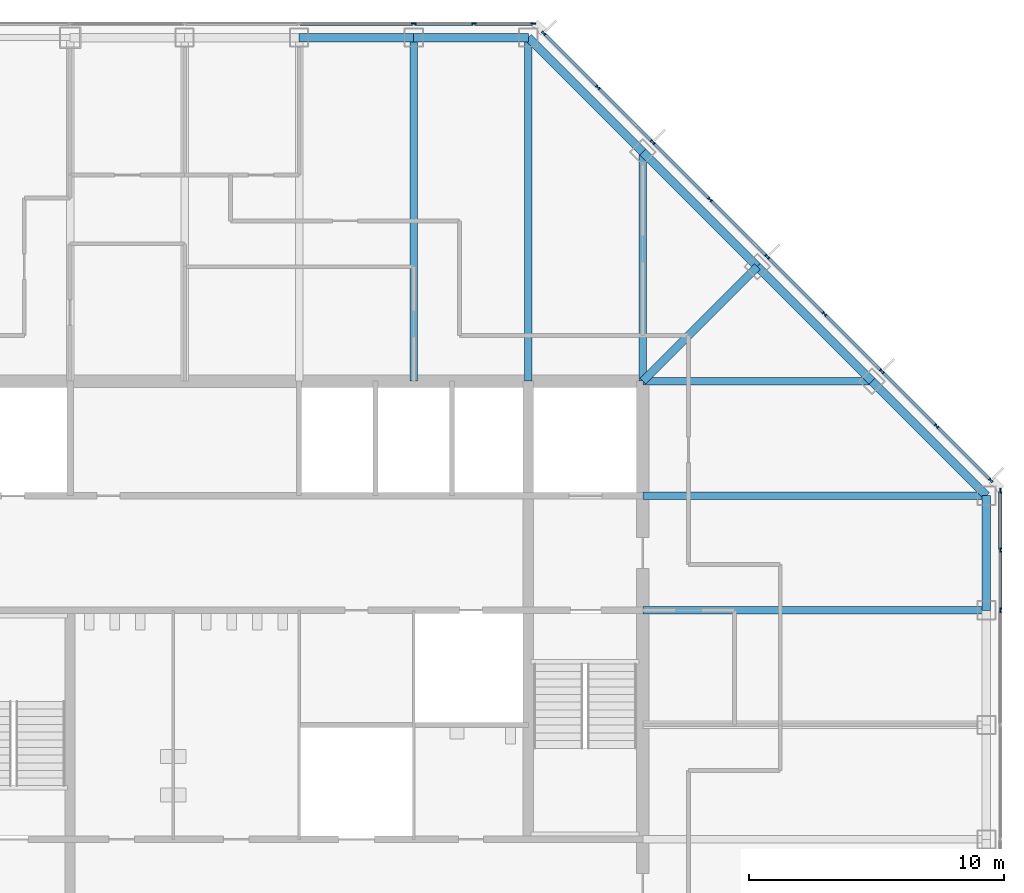
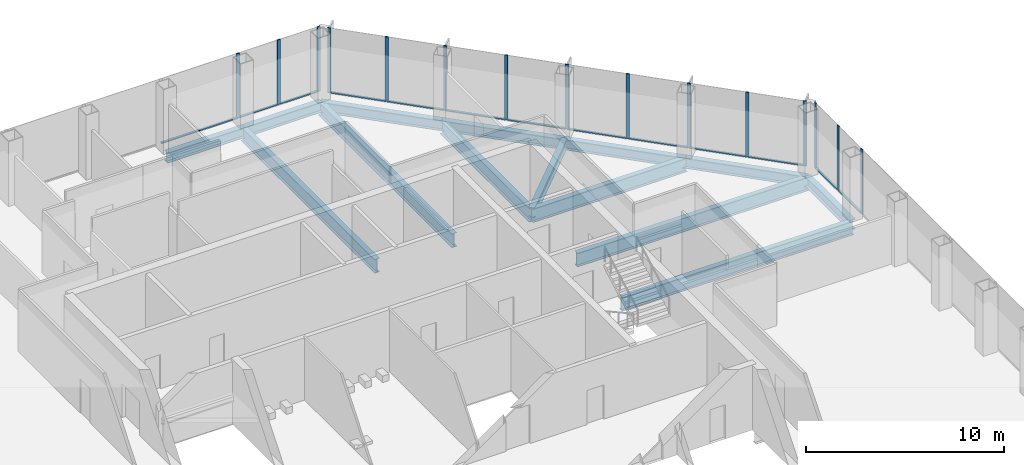
# One storey, part 6 of 13: 28 members, 14 beams, 3 elements without a shape of their own.
"""IFC4 building model written with IfcOpenShell, lengths in metres."""

from ifc_helpers import new_model, si_unit, direction, frame, origin, origin_2d, place, context, subcontext, project, spatial, rectangle, i_section, extrude, material, material_profile, profile_set, type_object, element, aggregate, save


model = new_model("IFC4")

# Units and contexts
model_context = context("Model", 3, precision=1e-05, world=origin(), true_north=direction((0.0, 1.0)))
body_context = subcontext(model_context, "Body", "Model", "MODEL_VIEW")
ifc_project = project(units=[si_unit("LENGTHUNIT", "METRE"), si_unit("AREAUNIT", "SQUARE_METRE"), si_unit("VOLUMEUNIT", "CUBIC_METRE"), si_unit("PLANEANGLEUNIT", "RADIAN"), si_unit("MASSUNIT", "GRAM", prefix="KILO")], contexts=[model_context])

# Site, building, storey
site_placement = place(None, origin())
site = spatial("IfcSite", under=ifc_project, at=site_placement, CompositionType="ELEMENT")
building_placement = place(site_placement, origin())
building = spatial("IfcBuilding", under=site, at=building_placement, Name="Corais Broadcast Tower", CompositionType="ELEMENT")
storey_placement = place(building_placement, frame((0.0, 0.0, 123.60009765625)))
storey = spatial("IfcBuildingStorey", under=building, at=storey_placement, Name="L27", CompositionType="ELEMENT", Elevation=123.60009765625)

# Beams
ifc_material_1 = material(Name="Steel ASTM A572 Grade 50", Category="steel")
ifc_material_profile_1 = material_profile(ifc_material_1, i_section(OverallWidth=0.323974609375, OverallDepth=0.611083984375, WebThickness=0.0126953125, FlangeThickness=0.01904296875, at=origin_2d()), Name="W610x155")
ifc_profile_set_1 = profile_set([ifc_material_profile_1], Name="Steel ASTM A572 Grade 50")
beam_type_1 = type_object("IfcBeamType", Name="Corner diagonal W610x155", PredefinedType="BEAM", material=ifc_profile_set_1)
beam_1_placement = place(storey_placement, frame((45.0, 45.0, -0.465576171875), z_axis=(-0.707106781187, -0.707106781187, 0.0), x_axis=(0.707106781187, -0.707106781187, 0.0)))
element("IfcBeam", 1, at=beam_1_placement, inside=storey, type_object=beam_type_1, Name="B6 L/13 to K/12", PredefinedType="BEAM", context=body_context, shape_type="SweptSolid", body=[
    extrude(i_section(OverallWidth=0.323974609375, OverallDepth=0.611083984375, WebThickness=0.0126953125, FlangeThickness=0.01904296875, at=origin_2d()), origin(), (0.0, 0.0, 1.0), 6.364013671875),
])
ifc_material_2 = material(Name="Steel ASTM A572 Grade 50", Category="steel")
ifc_material_profile_2 = material_profile(ifc_material_2, i_section(OverallWidth=0.2939453125, OverallDepth=0.85107421875, WebThickness=0.01611328125, FlangeThickness=0.02685546875, at=origin_2d()), Name="W840x226")
ifc_profile_set_2 = profile_set([ifc_material_profile_2], Name="Steel ASTM A572 Grade 50")
beam_type_2 = type_object("IfcBeamType", Name="Floor beam W840x226", PredefinedType="BEAM", material=ifc_profile_set_2)
for number, where, z_axis, x_axis, name in (
    (2, (31.5, 54.0, -0.585693359375), (0.0, -1.0, 0.0), (1.0, 0.0, 0.0), "B1 N/10 to K/10"),
    (3, (36.0, 54.0, -0.585693359375), (0.0, -1.0, 0.0), (1.0, 0.0, 0.0), "B1 N/11 to K/11"),
):
    element("IfcBeam", number, at=place(storey_placement, frame(where, z_axis=z_axis, x_axis=x_axis)), inside=storey, type_object=beam_type_2, Name=name, PredefinedType="BEAM", context=body_context, shape_type="SweptSolid", body=[
        extrude(i_section(OverallWidth=0.2939453125, OverallDepth=0.85107421875, WebThickness=0.01611328125, FlangeThickness=0.02685546875, at=origin_2d()), origin(), (0.0, 0.0, 1.0), 13.5),
    ])
for number, where, z_axis, x_axis, name in (
    (4, (40.5, 49.5, -0.585693359375), (0.0, -1.0, 0.0), (1.0, 0.0, 0.0), "B1 M/12 to K/12"),
    (5, (49.5, 40.5, -0.585693359375), (-1.0, 0.0, 0.0), (0.0, -1.0, 0.0), "B1 K/14 to K/12"),
):
    element("IfcBeam", number, at=place(storey_placement, frame(where, z_axis=z_axis, x_axis=x_axis)), inside=storey, type_object=beam_type_2, Name=name, PredefinedType="BEAM", context=body_context, shape_type="SweptSolid", body=[
        extrude(i_section(OverallWidth=0.2939453125, OverallDepth=0.85107421875, WebThickness=0.01611328125, FlangeThickness=0.02685546875, at=origin_2d()), origin(), (0.0, 0.0, 1.0), 9.0),
    ])
for number, where, z_axis, x_axis, name in (
    (6, (54.0, 31.5, -0.585693359375), (-1.0, 0.0, 0.0), (0.0, -1.0, 0.0), "B1 H/15 to H/12"),
    (7, (54.0, 36.0, -0.585693359375), (-1.0, 0.0, 0.0), (0.0, -1.0, 0.0), "B1 J/15 to J/12"),
):
    element("IfcBeam", number, at=place(storey_placement, frame(where, z_axis=z_axis, x_axis=x_axis)), inside=storey, type_object=beam_type_2, Name=name, PredefinedType="BEAM", context=body_context, shape_type="SweptSolid", body=[
        extrude(i_section(OverallWidth=0.2939453125, OverallDepth=0.85107421875, WebThickness=0.01611328125, FlangeThickness=0.02685546875, at=origin_2d()), origin(), (0.0, 0.0, 1.0), 13.5),
    ])

# Curtain wall, members
ifc_material_3 = material(Name="Aluminium and glass", Category="aluminium")
curtain_wall_type = type_object("IfcCurtainWallType", Name="Unitised fritted curtain wall CW2", PredefinedType="NOTDEFINED", material=ifc_material_3)
curtain_wall_1_placement = place(storey_placement, origin())
curtain_wall_1 = element("IfcCurtainWall", 8, at=curtain_wall_1_placement, inside=storey, type_object=curtain_wall_type, Name="CW2 curtain wall L27 4", PredefinedType="NOTDEFINED")
ifc_material_4 = material(Name="Aluminium 6063-T6", Category="aluminium")
ifc_material_profile_3 = material_profile(ifc_material_4, rectangle(XDim=0.06494140625, YDim=0.179931640625, at=origin_2d()), Name="Mullion CW2 65x180")
ifc_profile_set_3 = profile_set([ifc_material_profile_3], Name="Aluminium 6063-T6")
member_type_1 = type_object("IfcMemberType", Name="Mullion CW2 65x180", PredefinedType="MULLION", material=ifc_profile_set_3)
member_1_placement = place(storey_placement, frame((31.5, 54.550048828125, 0.0), z_axis=(0.0, 0.0, 1.0), x_axis=(0.0, 1.0, 0.0)))
member_1 = element("IfcMember", 9, at=member_1_placement, type_object=member_type_1, Name="CW2 mullion 7", PredefinedType="MULLION", context=body_context, shape_type="SweptSolid", body=[
    extrude(rectangle(XDim=0.06494140625, YDim=0.179931640625, at=origin_2d()), origin(), (0.0, 0.0, 1.0), 4.0),
])
member_2_placement = place(storey_placement, frame((33.864013671875, 54.550048828125, 0.0), z_axis=(0.0, 0.0, 1.0), x_axis=(0.0, 1.0, 0.0)))
member_2 = element("IfcMember", 10, at=member_2_placement, type_object=member_type_1, Name="CW2 mullion 8", PredefinedType="MULLION", context=body_context, shape_type="SweptSolid", body=[
    extrude(rectangle(XDim=0.06494140625, YDim=0.179931640625, at=origin_2d()), origin(), (0.0, 0.0, 1.0), 4.0),
])
member_3_placement = place(storey_placement, frame((36.1953125, 54.550048828125, 0.0), z_axis=(0.0, 0.0, 1.0), x_axis=(0.0, 1.0, 0.0)))
member_3 = element("IfcMember", 11, at=member_3_placement, type_object=member_type_1, Name="CW2 mullion 9", PredefinedType="MULLION", context=body_context, shape_type="SweptSolid", body=[
    extrude(rectangle(XDim=0.06494140625, YDim=0.179931640625, at=origin_2d()), origin(), (0.0, 0.0, 1.0), 4.0),
])

curtain_wall_2_placement = place(storey_placement, origin())
curtain_wall_2 = element("IfcCurtainWall", 12, at=curtain_wall_2_placement, inside=storey, type_object=curtain_wall_type, Name="CW2 curtain wall L27 5", PredefinedType="NOTDEFINED")
member_4_placement = place(storey_placement, frame((36.6044921875, 54.17333984375, 0.0), z_axis=(0.0, 0.0, 1.0), x_axis=(0.707106781187, 0.707106781187, 0.0)))
member_4 = element("IfcMember", 13, at=member_4_placement, type_object=member_type_1, Name="CW2 mullion 1", PredefinedType="MULLION", context=body_context, shape_type="SweptSolid", body=[
    extrude(rectangle(XDim=0.06494140625, YDim=0.179931640625, at=origin_2d()), origin(), (0.0, 0.0, 1.0), 4.0),
])
member_5_placement = place(storey_placement, frame((38.735107421875, 52.042724609375, 0.0), z_axis=(0.0, 0.0, 1.0), x_axis=(0.707106781187, 0.707106781187, 0.0)))
member_5 = element("IfcMember", 14, at=member_5_placement, type_object=member_type_1, Name="CW2 mullion 2", PredefinedType="MULLION", context=body_context, shape_type="SweptSolid", body=[
    extrude(rectangle(XDim=0.06494140625, YDim=0.179931640625, at=origin_2d()), origin(), (0.0, 0.0, 1.0), 4.0),
])
member_6_placement = place(storey_placement, frame((40.888916015625, 49.888916015625, 0.0), z_axis=(0.0, 0.0, 1.0), x_axis=(0.707106781187, 0.707106781187, 0.0)))
member_6 = element("IfcMember", 15, at=member_6_placement, type_object=member_type_1, Name="CW2 mullion 3", PredefinedType="MULLION", context=body_context, shape_type="SweptSolid", body=[
    extrude(rectangle(XDim=0.06494140625, YDim=0.179931640625, at=origin_2d()), origin(), (0.0, 0.0, 1.0), 4.0),
])
member_7_placement = place(storey_placement, frame((43.138916015625, 47.638916015625, 0.0), z_axis=(0.0, 0.0, 1.0), x_axis=(0.707106781187, 0.707106781187, 0.0)))
member_7 = element("IfcMember", 16, at=member_7_placement, type_object=member_type_1, Name="CW2 mullion 4", PredefinedType="MULLION", context=body_context, shape_type="SweptSolid", body=[
    extrude(rectangle(XDim=0.06494140625, YDim=0.179931640625, at=origin_2d()), origin(), (0.0, 0.0, 1.0), 4.0),
])
member_8_placement = place(storey_placement, frame((45.388916015625, 45.388916015625, 0.0), z_axis=(0.0, 0.0, 1.0), x_axis=(0.707106781187, 0.707106781187, 0.0)))
member_8 = element("IfcMember", 17, at=member_8_placement, type_object=member_type_1, Name="CW2 mullion 5", PredefinedType="MULLION", context=body_context, shape_type="SweptSolid", body=[
    extrude(rectangle(XDim=0.06494140625, YDim=0.179931640625, at=origin_2d()), origin(), (0.0, 0.0, 1.0), 4.0),
])
member_9_placement = place(storey_placement, frame((47.638916015625, 43.138916015625, 0.0), z_axis=(0.0, 0.0, 1.0), x_axis=(0.707106781187, 0.707106781187, 0.0)))
member_9 = element("IfcMember", 18, at=member_9_placement, type_object=member_type_1, Name="CW2 mullion 6", PredefinedType="MULLION", context=body_context, shape_type="SweptSolid", body=[
    extrude(rectangle(XDim=0.06494140625, YDim=0.179931640625, at=origin_2d()), origin(), (0.0, 0.0, 1.0), 4.0),
])
member_10_placement = place(storey_placement, frame((49.888916015625, 40.888916015625, 0.0), z_axis=(0.0, 0.0, 1.0), x_axis=(0.707106781187, 0.707106781187, 0.0)))
member_10 = element("IfcMember", 19, at=member_10_placement, type_object=member_type_1, Name="CW2 mullion 7", PredefinedType="MULLION", context=body_context, shape_type="SweptSolid", body=[
    extrude(rectangle(XDim=0.06494140625, YDim=0.179931640625, at=origin_2d()), origin(), (0.0, 0.0, 1.0), 4.0),
])
member_11_placement = place(storey_placement, frame((52.042724609375, 38.735107421875, 0.0), z_axis=(0.0, 0.0, 1.0), x_axis=(0.707106781187, 0.707106781187, 0.0)))
member_11 = element("IfcMember", 20, at=member_11_placement, type_object=member_type_1, Name="CW2 mullion 8", PredefinedType="MULLION", context=body_context, shape_type="SweptSolid", body=[
    extrude(rectangle(XDim=0.06494140625, YDim=0.179931640625, at=origin_2d()), origin(), (0.0, 0.0, 1.0), 4.0),
])
member_12_placement = place(storey_placement, frame((54.17333984375, 36.6044921875, 0.0), z_axis=(0.0, 0.0, 1.0), x_axis=(0.707106781187, 0.707106781187, 0.0)))
member_12 = element("IfcMember", 21, at=member_12_placement, type_object=member_type_1, Name="CW2 mullion 9", PredefinedType="MULLION", context=body_context, shape_type="SweptSolid", body=[
    extrude(rectangle(XDim=0.06494140625, YDim=0.179931640625, at=origin_2d()), origin(), (0.0, 0.0, 1.0), 4.0),
])

curtain_wall_3_placement = place(storey_placement, origin())
curtain_wall_3 = element("IfcCurtainWall", 22, at=curtain_wall_3_placement, inside=storey, type_object=curtain_wall_type, Name="CW2 curtain wall L27 6", PredefinedType="NOTDEFINED")
member_13_placement = place(storey_placement, frame((54.550048828125, 36.1953125, 0.0), z_axis=(0.0, 0.0, 1.0), x_axis=(1.0, 0.0, 0.0)))
member_13 = element("IfcMember", 23, at=member_13_placement, type_object=member_type_1, Name="CW2 mullion 1", PredefinedType="MULLION", context=body_context, shape_type="SweptSolid", body=[
    extrude(rectangle(XDim=0.06494140625, YDim=0.179931640625, at=origin_2d()), origin(), (0.0, 0.0, 1.0), 4.0),
])
member_14_placement = place(storey_placement, frame((54.550048828125, 33.864013671875, 0.0), z_axis=(0.0, 0.0, 1.0), x_axis=(1.0, 0.0, 0.0)))
member_14 = element("IfcMember", 24, at=member_14_placement, type_object=member_type_1, Name="CW2 mullion 2", PredefinedType="MULLION", context=body_context, shape_type="SweptSolid", body=[
    extrude(rectangle(XDim=0.06494140625, YDim=0.179931640625, at=origin_2d()), origin(), (0.0, 0.0, 1.0), 4.0),
])
member_15_placement = place(storey_placement, frame((54.550048828125, 31.5, 0.0), z_axis=(0.0, 0.0, 1.0), x_axis=(1.0, 0.0, 0.0)))
member_15 = element("IfcMember", 25, at=member_15_placement, type_object=member_type_1, Name="CW2 mullion 3", PredefinedType="MULLION", context=body_context, shape_type="SweptSolid", body=[
    extrude(rectangle(XDim=0.06494140625, YDim=0.179931640625, at=origin_2d()), origin(), (0.0, 0.0, 1.0), 4.0),
])

# Beams
ifc_material_5 = material(Name="Steel ASTM A572 Grade 50", Category="steel")
ifc_material_profile_4 = material_profile(ifc_material_5, i_section(OverallWidth=0.3291015625, OverallDepth=0.635009765625, WebThickness=0.017822265625, FlangeThickness=0.031005859375, at=origin_2d()), Name="W610x241")
ifc_profile_set_4 = profile_set([ifc_material_profile_4], Name="Steel ASTM A572 Grade 50")
beam_type_3 = type_object("IfcBeamType", Name="Spandrel W610x241", PredefinedType="BEAM", material=ifc_profile_set_4)
for number, where, z_axis, x_axis, name in (
    (26, (31.5, 54.0, -0.4775390625), (-1.0, 0.0, 0.0), (0.0, -1.0, 0.0), "SB1 N/10 to N/9"),
    (27, (36.0, 54.0, -0.4775390625), (-1.0, 0.0, 0.0), (0.0, -1.0, 0.0), "SB1 N/11 to N/10"),
):
    element("IfcBeam", number, at=place(storey_placement, frame(where, z_axis=z_axis, x_axis=x_axis)), inside=storey, type_object=beam_type_3, Name=name, PredefinedType="BEAM", context=body_context, shape_type="SweptSolid", body=[
        extrude(i_section(OverallWidth=0.3291015625, OverallDepth=0.635009765625, WebThickness=0.017822265625, FlangeThickness=0.031005859375, at=origin_2d()), origin(), (0.0, 0.0, 1.0), 4.5),
    ])
for number, where, z_axis, x_axis, name in (
    (28, (40.5, 49.5, -0.4775390625), (-0.707106781187, 0.707106781187, 0.0), (-0.707106781187, -0.707106781187, 0.0), "SB1 M/12 to N/11"),
    (29, (45.0, 45.0, -0.4775390625), (-0.707106781187, 0.707106781187, 0.0), (-0.707106781187, -0.707106781187, 0.0), "SB1 L/13 to M/12"),
    (30, (49.5, 40.5, -0.4775390625), (-0.707106781187, 0.707106781187, 0.0), (-0.707106781187, -0.707106781187, 0.0), "SB1 K/14 to L/13"),
):
    element("IfcBeam", number, at=place(storey_placement, frame(where, z_axis=z_axis, x_axis=x_axis)), inside=storey, type_object=beam_type_3, Name=name, PredefinedType="BEAM", context=body_context, shape_type="SweptSolid", body=[
        extrude(i_section(OverallWidth=0.3291015625, OverallDepth=0.635009765625, WebThickness=0.017822265625, FlangeThickness=0.031005859375, at=origin_2d()), origin(), (0.0, 0.0, 1.0), 6.364013671875),
    ])
beam_2_placement = place(storey_placement, frame((54.0, 31.5, -0.4775390625), z_axis=(0.0, 1.0, 0.0), x_axis=(-1.0, 0.0, 0.0)))
element("IfcBeam", 31, at=beam_2_placement, inside=storey, type_object=beam_type_3, Name="SB1 H/15 to J/15", PredefinedType="BEAM", context=body_context, shape_type="SweptSolid", body=[
    extrude(i_section(OverallWidth=0.3291015625, OverallDepth=0.635009765625, WebThickness=0.017822265625, FlangeThickness=0.031005859375, at=origin_2d()), origin(), (0.0, 0.0, 1.0), 4.5),
])
beam_3_placement = place(storey_placement, frame((54.0, 36.0, -0.4775390625), z_axis=(-0.707106781187, 0.707106781187, 0.0), x_axis=(-0.707106781187, -0.707106781187, 0.0)))
element("IfcBeam", 32, at=beam_3_placement, inside=storey, type_object=beam_type_3, Name="SB1 J/15 to K/14", PredefinedType="BEAM", context=body_context, shape_type="SweptSolid", body=[
    extrude(i_section(OverallWidth=0.3291015625, OverallDepth=0.635009765625, WebThickness=0.017822265625, FlangeThickness=0.031005859375, at=origin_2d()), origin(), (0.0, 0.0, 1.0), 6.364013671875),
])

# Member
ifc_material_6 = material(Name="Aluminium 6063-T6", Category="aluminium")
ifc_material_profile_5 = material_profile(ifc_material_6, rectangle(XDim=0.1298828125, YDim=0.06494140625, at=origin_2d()), Name="Transom CW2 65x130")
ifc_profile_set_5 = profile_set([ifc_material_profile_5], Name="Aluminium 6063-T6")
member_type_2 = type_object("IfcMemberType", Name="Transom CW2 65x130", PredefinedType="USERDEFINED", material=ifc_profile_set_5)
member_16_placement = place(storey_placement, frame((27.032470703125, 54.550048828125, 0.032470703125), z_axis=(1.0, 0.0, 0.0), x_axis=(0.0, 1.0, 0.0)))
member_16 = element("IfcMember", 33, at=member_16_placement, type_object=member_type_2, Name="CW2 transom 6.1", ObjectType="TRANSOM", PredefinedType="USERDEFINED", context=body_context, shape_type="SweptSolid", body=[
    extrude(rectangle(XDim=0.1298828125, YDim=0.06494140625, at=origin_2d()), origin(), (0.0, 0.0, 1.0), 4.43505859375),
])

member_17_placement = place(storey_placement, frame((31.532470703125, 54.550048828125, 0.032470703125), z_axis=(1.0, 0.0, 0.0), x_axis=(0.0, 1.0, 0.0)))
member_17 = element("IfcMember", 34, at=member_17_placement, type_object=member_type_2, Name="CW2 transom 7.1", ObjectType="TRANSOM", PredefinedType="USERDEFINED", context=body_context, shape_type="SweptSolid", body=[
    extrude(rectangle(XDim=0.1298828125, YDim=0.06494140625, at=origin_2d()), origin(), (0.0, 0.0, 1.0), 2.298828125),
])

member_18_placement = place(storey_placement, frame((33.896484375, 54.550048828125, 0.032470703125), z_axis=(1.0, 0.0, 0.0), x_axis=(0.0, 1.0, 0.0)))
member_18 = element("IfcMember", 35, at=member_18_placement, type_object=member_type_2, Name="CW2 transom 8.1", ObjectType="TRANSOM", PredefinedType="USERDEFINED", context=body_context, shape_type="SweptSolid", body=[
    extrude(rectangle(XDim=0.1298828125, YDim=0.06494140625, at=origin_2d()), origin(), (0.0, 0.0, 1.0), 2.266357421875),
])

aggregate(curtain_wall_1, [member_1, member_2, member_3, member_16, member_17, member_18])

member_19_placement = place(storey_placement, frame((36.62744140625, 54.150390625, 0.032470703125), z_axis=(0.707106781187, -0.707106781187, 0.0), x_axis=(0.707106781187, 0.707106781187, 0.0)))
member_19 = element("IfcMember", 36, at=member_19_placement, type_object=member_type_2, Name="CW2 transom 1.1", ObjectType="TRANSOM", PredefinedType="USERDEFINED", context=body_context, shape_type="SweptSolid", body=[
    extrude(rectangle(XDim=0.1298828125, YDim=0.06494140625, at=origin_2d()), origin(), (0.0, 0.0, 1.0), 2.9482421875),
])

member_20_placement = place(storey_placement, frame((38.758056640625, 52.019775390625, 0.032470703125), z_axis=(0.707106781187, -0.707106781187, 0.0), x_axis=(0.707106781187, 0.707106781187, 0.0)))
member_20 = element("IfcMember", 37, at=member_20_placement, type_object=member_type_2, Name="CW2 transom 2.1", ObjectType="TRANSOM", PredefinedType="USERDEFINED", context=body_context, shape_type="SweptSolid", body=[
    extrude(rectangle(XDim=0.1298828125, YDim=0.06494140625, at=origin_2d()), origin(), (0.0, 0.0, 1.0), 2.98095703125),
])

member_21_placement = place(storey_placement, frame((40.911865234375, 49.865966796875, 0.032470703125), z_axis=(0.707106781187, -0.707106781187, 0.0), x_axis=(0.707106781187, 0.707106781187, 0.0)))
member_21 = element("IfcMember", 38, at=member_21_placement, type_object=member_type_2, Name="CW2 transom 3.1", ObjectType="TRANSOM", PredefinedType="USERDEFINED", context=body_context, shape_type="SweptSolid", body=[
    extrude(rectangle(XDim=0.1298828125, YDim=0.06494140625, at=origin_2d()), origin(), (0.0, 0.0, 1.0), 3.1171875),
])

member_22_placement = place(storey_placement, frame((43.161865234375, 47.615966796875, 0.032470703125), z_axis=(0.707106781187, -0.707106781187, 0.0), x_axis=(0.707106781187, 0.707106781187, 0.0)))
member_22 = element("IfcMember", 39, at=member_22_placement, type_object=member_type_2, Name="CW2 transom 4.1", ObjectType="TRANSOM", PredefinedType="USERDEFINED", context=body_context, shape_type="SweptSolid", body=[
    extrude(rectangle(XDim=0.1298828125, YDim=0.06494140625, at=origin_2d()), origin(), (0.0, 0.0, 1.0), 3.1171875),
])

member_23_placement = place(storey_placement, frame((45.411865234375, 45.365966796875, 0.032470703125), z_axis=(0.707106781187, -0.707106781187, 0.0), x_axis=(0.707106781187, 0.707106781187, 0.0)))
member_23 = element("IfcMember", 40, at=member_23_placement, type_object=member_type_2, Name="CW2 transom 5.1", ObjectType="TRANSOM", PredefinedType="USERDEFINED", context=body_context, shape_type="SweptSolid", body=[
    extrude(rectangle(XDim=0.1298828125, YDim=0.06494140625, at=origin_2d()), origin(), (0.0, 0.0, 1.0), 3.1171875),
])

member_24_placement = place(storey_placement, frame((47.661865234375, 43.115966796875, 0.032470703125), z_axis=(0.707106781187, -0.707106781187, 0.0), x_axis=(0.707106781187, 0.707106781187, 0.0)))
member_24 = element("IfcMember", 41, at=member_24_placement, type_object=member_type_2, Name="CW2 transom 6.1", ObjectType="TRANSOM", PredefinedType="USERDEFINED", context=body_context, shape_type="SweptSolid", body=[
    extrude(rectangle(XDim=0.1298828125, YDim=0.06494140625, at=origin_2d()), origin(), (0.0, 0.0, 1.0), 3.1171875),
])

member_25_placement = place(storey_placement, frame((49.911865234375, 40.865966796875, 0.032470703125), z_axis=(0.707065828661, -0.70714773134, 0.0), x_axis=(0.70714773134, 0.707065828661, 0.0)))
member_25 = element("IfcMember", 42, at=member_25_placement, type_object=member_type_2, Name="CW2 transom 7.1", ObjectType="TRANSOM", PredefinedType="USERDEFINED", context=body_context, shape_type="SweptSolid", body=[
    extrude(rectangle(XDim=0.1298828125, YDim=0.06494140625, at=origin_2d()), origin(), (0.0, 0.0, 1.0), 2.98095703125),
])

member_26_placement = place(storey_placement, frame((52.065673828125, 38.712158203125, 0.032470703125), z_axis=(0.707106781187, -0.707106781187, 0.0), x_axis=(0.707106781187, 0.707106781187, 0.0)))
member_26 = element("IfcMember", 43, at=member_26_placement, type_object=member_type_2, Name="CW2 transom 8.1", ObjectType="TRANSOM", PredefinedType="USERDEFINED", context=body_context, shape_type="SweptSolid", body=[
    extrude(rectangle(XDim=0.1298828125, YDim=0.06494140625, at=origin_2d()), origin(), (0.0, 0.0, 1.0), 2.9482421875),
])

aggregate(curtain_wall_2, [member_4, member_5, member_6, member_7, member_8, member_9, member_10, member_11, member_12, member_19, member_20, member_21, member_22, member_23, member_24, member_25, member_26])

member_27_placement = place(storey_placement, frame((54.550048828125, 36.162841796875, 0.032470703125), z_axis=(0.0, -1.0, 0.0), x_axis=(1.0, 0.0, 0.0)))
member_27 = element("IfcMember", 44, at=member_27_placement, type_object=member_type_2, Name="CW2 transom 1.1", ObjectType="TRANSOM", PredefinedType="USERDEFINED", context=body_context, shape_type="SweptSolid", body=[
    extrude(rectangle(XDim=0.1298828125, YDim=0.06494140625, at=origin_2d()), origin(), (0.0, 0.0, 1.0), 2.266357421875),
])

member_28_placement = place(storey_placement, frame((54.550048828125, 33.831298828125, 0.032470703125), z_axis=(0.0, -1.0, 0.0), x_axis=(1.0, 0.0, 0.0)))
member_28 = element("IfcMember", 45, at=member_28_placement, type_object=member_type_2, Name="CW2 transom 2.1", ObjectType="TRANSOM", PredefinedType="USERDEFINED", context=body_context, shape_type="SweptSolid", body=[
    extrude(rectangle(XDim=0.1298828125, YDim=0.06494140625, at=origin_2d()), origin(), (0.0, 0.0, 1.0), 2.298828125),
])

aggregate(curtain_wall_3, [member_13, member_14, member_15, member_27, member_28])

save(model, "model.ifc")
